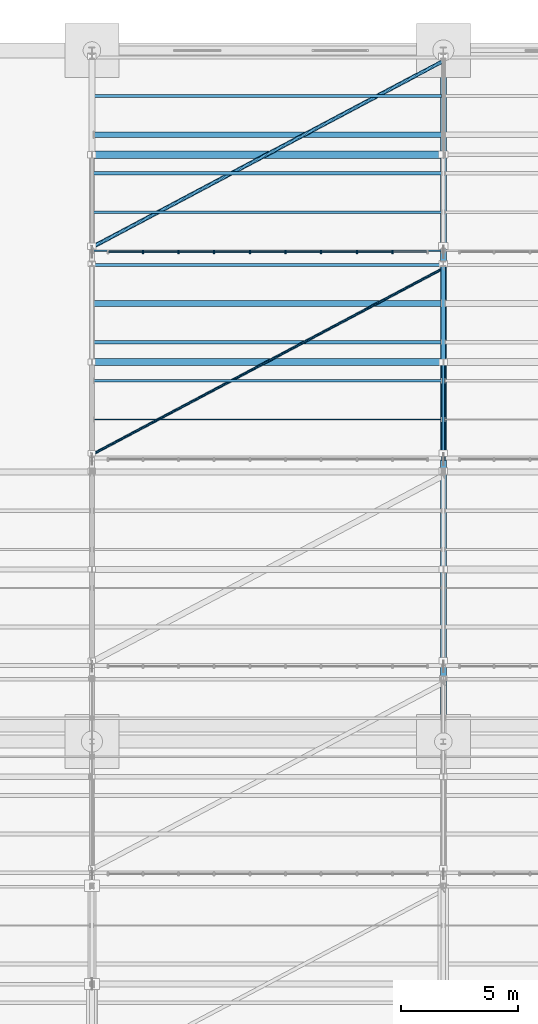
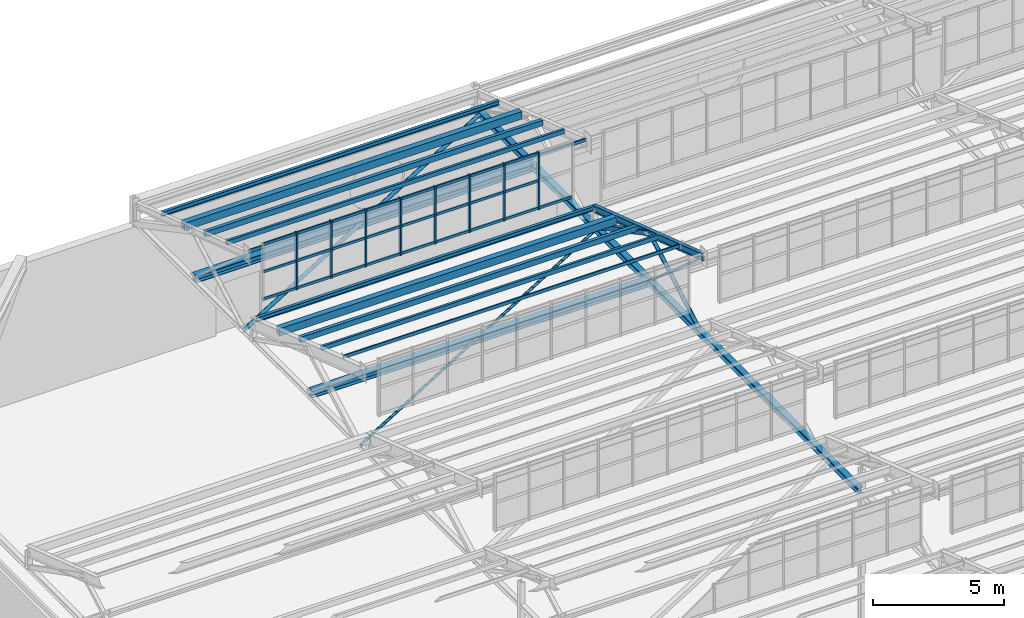
# One storey, part 129 of 285: 40 members, 12 beams, 1 element without a shape of its own.
"""IFC4 building model written with IfcOpenShell, lengths in metres."""

from ifc_helpers import new_model, si_unit, direction, frame, origin, origin_2d, place, context, subcontext, project, spatial, rectangle, hollow_rectangle, hollow_circle, i_section, extrude, material, material_profile, profile_set, type_object, element, aggregate, save


model = new_model("IFC4")

# Units and contexts
model_context = context("Model", 3, precision=1e-05, world=origin(), true_north=direction((0.0, 1.0)))
body_context = subcontext(model_context, "Body", "Model", "MODEL_VIEW")
ifc_project = project(units=[si_unit("LENGTHUNIT", "METRE"), si_unit("AREAUNIT", "SQUARE_METRE"), si_unit("VOLUMEUNIT", "CUBIC_METRE"), si_unit("PLANEANGLEUNIT", "RADIAN"), si_unit("MASSUNIT", "GRAM", prefix="KILO")], contexts=[model_context])

# Site, building, storey
site_placement = place(None, origin())
site = spatial("IfcSite", under=ifc_project, at=site_placement, CompositionType="ELEMENT")
building_placement = place(site_placement, origin())
building = spatial("IfcBuilding", under=site, at=building_placement, Name="Solanera Park Tramway Depot", CompositionType="ELEMENT")
storey_placement = place(building_placement, origin())
storey = spatial("IfcBuildingStorey", under=building, at=storey_placement, Name="L00", CompositionType="ELEMENT", Elevation=0.0)

# Curtain wall, members
ifc_material_1 = material(Name="Bronze-anodised thermally broken aluminium curtain wall", Category="aluminium")
curtain_wall_type = type_object("IfcCurtainWallType", Name="Sawtooth Clerestory Monitor Curtain Wall", PredefinedType="NOTDEFINED", material=ifc_material_1)
curtain_wall_placement = place(storey_placement, origin())
curtain_wall = element("IfcCurtainWall", 1, at=curtain_wall_placement, inside=storey, type_object=curtain_wall_type, Name="L00 Sawtooth Clerestory Monitor Curtain Wall #066", PredefinedType="NOTDEFINED")
ifc_material_2 = material(Name="Bronze-anodised structural aluminium 6063-T6", Category="aluminium")
ifc_material_profile_1 = material_profile(ifc_material_2, rectangle(XDim=0.06494140625, YDim=0.14990234375, at=origin_2d()), Name="Curtain Wall Mullion 65x150")
ifc_profile_set_1 = profile_set([ifc_material_profile_1], Name="Bronze-anodised structural aluminium 6063-T6")
member_type_1 = type_object("IfcMemberType", Name="Curtain Wall Mullion 65x150", PredefinedType="MULLION", material=ifc_profile_set_1)
member_1_placement = place(storey_placement, frame((17.172119140625, 135.39990234375, 7.75), z_axis=(0.0, 0.0, 1.0), x_axis=(1.0, 0.0, 0.0)))
member_1 = element("IfcMember", 2, at=member_1_placement, type_object=member_type_1, Name="CW-L00-066 Mullion 2", PredefinedType="MULLION", context=body_context, shape_type="SweptSolid", body=[
    extrude(rectangle(XDim=0.06494140625, YDim=0.14990234375, at=origin_2d()), origin(), (0.0, 0.0, 1.0), 2.6611328125),
])
member_2_placement = place(storey_placement, frame((18.6943359375, 135.39990234375, 7.75), z_axis=(0.0, 0.0, 1.0), x_axis=(1.0, 0.0, 0.0)))
member_2 = element("IfcMember", 3, at=member_2_placement, type_object=member_type_1, Name="CW-L00-066 Mullion 3", PredefinedType="MULLION", context=body_context, shape_type="SweptSolid", body=[
    extrude(rectangle(XDim=0.06494140625, YDim=0.14990234375, at=origin_2d()), origin(), (0.0, 0.0, 1.0), 2.6611328125),
])
member_3_placement = place(storey_placement, frame((20.216796875, 135.39990234375, 7.75), z_axis=(0.0, 0.0, 1.0), x_axis=(1.0, 0.0, 0.0)))
member_3 = element("IfcMember", 4, at=member_3_placement, type_object=member_type_1, Name="CW-L00-066 Mullion 4", PredefinedType="MULLION", context=body_context, shape_type="SweptSolid", body=[
    extrude(rectangle(XDim=0.06494140625, YDim=0.14990234375, at=origin_2d()), origin(), (0.0, 0.0, 1.0), 2.6611328125),
])
member_4_placement = place(storey_placement, frame((21.739013671875, 135.39990234375, 7.75), z_axis=(0.0, 0.0, 1.0), x_axis=(1.0, 0.0, 0.0)))
member_4 = element("IfcMember", 5, at=member_4_placement, type_object=member_type_1, Name="CW-L00-066 Mullion 5", PredefinedType="MULLION", context=body_context, shape_type="SweptSolid", body=[
    extrude(rectangle(XDim=0.06494140625, YDim=0.14990234375, at=origin_2d()), origin(), (0.0, 0.0, 1.0), 2.6611328125),
])
member_5_placement = place(storey_placement, frame((23.260986328125, 135.39990234375, 7.75), z_axis=(0.0, 0.0, 1.0), x_axis=(1.0, 0.0, 0.0)))
member_5 = element("IfcMember", 6, at=member_5_placement, type_object=member_type_1, Name="CW-L00-066 Mullion 6", PredefinedType="MULLION", context=body_context, shape_type="SweptSolid", body=[
    extrude(rectangle(XDim=0.06494140625, YDim=0.14990234375, at=origin_2d()), origin(), (0.0, 0.0, 1.0), 2.6611328125),
])
member_6_placement = place(storey_placement, frame((24.783203125, 135.39990234375, 7.75), z_axis=(0.0, 0.0, 1.0), x_axis=(1.0, 0.0, 0.0)))
member_6 = element("IfcMember", 7, at=member_6_placement, type_object=member_type_1, Name="CW-L00-066 Mullion 7", PredefinedType="MULLION", context=body_context, shape_type="SweptSolid", body=[
    extrude(rectangle(XDim=0.06494140625, YDim=0.14990234375, at=origin_2d()), origin(), (0.0, 0.0, 1.0), 2.6611328125),
])
member_7_placement = place(storey_placement, frame((26.3056640625, 135.39990234375, 7.75), z_axis=(0.0, 0.0, 1.0), x_axis=(1.0, 0.0, 0.0)))
member_7 = element("IfcMember", 8, at=member_7_placement, type_object=member_type_1, Name="CW-L00-066 Mullion 8", PredefinedType="MULLION", context=body_context, shape_type="SweptSolid", body=[
    extrude(rectangle(XDim=0.06494140625, YDim=0.14990234375, at=origin_2d()), origin(), (0.0, 0.0, 1.0), 2.6611328125),
])
member_8_placement = place(storey_placement, frame((27.827880859375, 135.39990234375, 7.75), z_axis=(0.0, 0.0, 1.0), x_axis=(1.0, 0.0, 0.0)))
member_8 = element("IfcMember", 9, at=member_8_placement, type_object=member_type_1, Name="CW-L00-066 Mullion 9", PredefinedType="MULLION", context=body_context, shape_type="SweptSolid", body=[
    extrude(rectangle(XDim=0.06494140625, YDim=0.14990234375, at=origin_2d()), origin(), (0.0, 0.0, 1.0), 2.6611328125),
])
ifc_material_3 = material(Name="Bronze-anodised structural aluminium 6063-T6", Category="aluminium")
ifc_material_profile_2 = material_profile(ifc_material_3, rectangle(XDim=0.06494140625, YDim=0.1201171875, at=origin_2d()), Name="Curtain Wall Transom 65x120")
ifc_profile_set_2 = profile_set([ifc_material_profile_2], Name="Bronze-anodised structural aluminium 6063-T6")
member_type_2 = type_object("IfcMemberType", Name="Curtain Wall Transom 65x120", PredefinedType="USERDEFINED", material=ifc_profile_set_2)
member_9_placement = place(storey_placement, frame((15.71044921875, 135.39990234375, 7.81005859375), z_axis=(1.0, 0.0, 0.0), x_axis=(0.0, 1.0, 0.0)))
member_9 = element("IfcMember", 10, at=member_9_placement, type_object=member_type_2, Name="CW-L00-066 Transom R1.C1", ObjectType="TRANSOM", PredefinedType="USERDEFINED", context=body_context, shape_type="SweptSolid", body=[
    extrude(rectangle(XDim=0.06494140625, YDim=0.1201171875, at=origin_2d()), origin(), (0.0, 0.0, 1.0), 1.433837890625),
])
member_10_placement = place(storey_placement, frame((17.2001953125, 135.39990234375, 7.81005859375), z_axis=(1.0, 0.0, 0.0), x_axis=(0.0, 1.0, 0.0)))
member_10 = element("IfcMember", 11, at=member_10_placement, type_object=member_type_2, Name="CW-L00-066 Transom R1.C2", ObjectType="TRANSOM", PredefinedType="USERDEFINED", context=body_context, shape_type="SweptSolid", body=[
    extrude(rectangle(XDim=0.06494140625, YDim=0.1201171875, at=origin_2d()), origin(), (0.0, 0.0, 1.0), 1.46630859375),
])
member_11_placement = place(storey_placement, frame((18.722412109375, 135.39990234375, 7.81005859375), z_axis=(1.0, 0.0, 0.0), x_axis=(0.0, 1.0, 0.0)))
member_11 = element("IfcMember", 12, at=member_11_placement, type_object=member_type_2, Name="CW-L00-066 Transom R1.C3", ObjectType="TRANSOM", PredefinedType="USERDEFINED", context=body_context, shape_type="SweptSolid", body=[
    extrude(rectangle(XDim=0.06494140625, YDim=0.1201171875, at=origin_2d()), origin(), (0.0, 0.0, 1.0), 1.46630859375),
])
member_12_placement = place(storey_placement, frame((20.24462890625, 135.39990234375, 7.81005859375), z_axis=(1.0, 0.0, 0.0), x_axis=(0.0, 1.0, 0.0)))
member_12 = element("IfcMember", 13, at=member_12_placement, type_object=member_type_2, Name="CW-L00-066 Transom R1.C4", ObjectType="TRANSOM", PredefinedType="USERDEFINED", context=body_context, shape_type="SweptSolid", body=[
    extrude(rectangle(XDim=0.06494140625, YDim=0.1201171875, at=origin_2d()), origin(), (0.0, 0.0, 1.0), 1.46630859375),
])
member_13_placement = place(storey_placement, frame((21.766845703125, 135.39990234375, 7.81005859375), z_axis=(1.0, 0.0, 0.0), x_axis=(0.0, 1.0, 0.0)))
member_13 = element("IfcMember", 14, at=member_13_placement, type_object=member_type_2, Name="CW-L00-066 Transom R1.C5", ObjectType="TRANSOM", PredefinedType="USERDEFINED", context=body_context, shape_type="SweptSolid", body=[
    extrude(rectangle(XDim=0.06494140625, YDim=0.1201171875, at=origin_2d()), origin(), (0.0, 0.0, 1.0), 1.46630859375),
])
member_14_placement = place(storey_placement, frame((23.2890625, 135.39990234375, 7.81005859375), z_axis=(1.0, 0.0, 0.0), x_axis=(0.0, 1.0, 0.0)))
member_14 = element("IfcMember", 15, at=member_14_placement, type_object=member_type_2, Name="CW-L00-066 Transom R1.C6", ObjectType="TRANSOM", PredefinedType="USERDEFINED", context=body_context, shape_type="SweptSolid", body=[
    extrude(rectangle(XDim=0.06494140625, YDim=0.1201171875, at=origin_2d()), origin(), (0.0, 0.0, 1.0), 1.46630859375),
])
member_15_placement = place(storey_placement, frame((24.811279296875, 135.39990234375, 7.81005859375), z_axis=(1.0, 0.0, 0.0), x_axis=(0.0, 1.0, 0.0)))
member_15 = element("IfcMember", 16, at=member_15_placement, type_object=member_type_2, Name="CW-L00-066 Transom R1.C7", ObjectType="TRANSOM", PredefinedType="USERDEFINED", context=body_context, shape_type="SweptSolid", body=[
    extrude(rectangle(XDim=0.06494140625, YDim=0.1201171875, at=origin_2d()), origin(), (0.0, 0.0, 1.0), 1.46630859375),
])
member_16_placement = place(storey_placement, frame((26.33349609375, 135.39990234375, 7.81005859375), z_axis=(1.0, 0.0, 0.0), x_axis=(0.0, 1.0, 0.0)))
member_16 = element("IfcMember", 17, at=member_16_placement, type_object=member_type_2, Name="CW-L00-066 Transom R1.C8", ObjectType="TRANSOM", PredefinedType="USERDEFINED", context=body_context, shape_type="SweptSolid", body=[
    extrude(rectangle(XDim=0.06494140625, YDim=0.1201171875, at=origin_2d()), origin(), (0.0, 0.0, 1.0), 1.46630859375),
])
member_17_placement = place(storey_placement, frame((27.855712890625, 135.39990234375, 7.81005859375), z_axis=(1.0, 0.0, 0.0), x_axis=(0.0, 1.0, 0.0)))
member_17 = element("IfcMember", 18, at=member_17_placement, type_object=member_type_2, Name="CW-L00-066 Transom R1.C9", ObjectType="TRANSOM", PredefinedType="USERDEFINED", context=body_context, shape_type="SweptSolid", body=[
    extrude(rectangle(XDim=0.06494140625, YDim=0.1201171875, at=origin_2d()), origin(), (0.0, 0.0, 1.0), 1.433837890625),
])
member_18_placement = place(storey_placement, frame((15.71044921875, 135.39990234375, 9.08056640625), z_axis=(1.0, 0.0, 0.0), x_axis=(0.0, 1.0, 0.0)))
member_18 = element("IfcMember", 19, at=member_18_placement, type_object=member_type_2, Name="CW-L00-066 Transom R2.C1", ObjectType="TRANSOM", PredefinedType="USERDEFINED", context=body_context, shape_type="SweptSolid", body=[
    extrude(rectangle(XDim=0.06494140625, YDim=0.1201171875, at=origin_2d()), origin(), (0.0, 0.0, 1.0), 1.433837890625),
])
member_19_placement = place(storey_placement, frame((17.2001953125, 135.39990234375, 9.08056640625), z_axis=(1.0, 0.0, 0.0), x_axis=(0.0, 1.0, 0.0)))
member_19 = element("IfcMember", 20, at=member_19_placement, type_object=member_type_2, Name="CW-L00-066 Transom R2.C2", ObjectType="TRANSOM", PredefinedType="USERDEFINED", context=body_context, shape_type="SweptSolid", body=[
    extrude(rectangle(XDim=0.06494140625, YDim=0.1201171875, at=origin_2d()), origin(), (0.0, 0.0, 1.0), 1.46630859375),
])
member_20_placement = place(storey_placement, frame((18.722412109375, 135.39990234375, 9.08056640625), z_axis=(1.0, 0.0, 0.0), x_axis=(0.0, 1.0, 0.0)))
member_20 = element("IfcMember", 21, at=member_20_placement, type_object=member_type_2, Name="CW-L00-066 Transom R2.C3", ObjectType="TRANSOM", PredefinedType="USERDEFINED", context=body_context, shape_type="SweptSolid", body=[
    extrude(rectangle(XDim=0.06494140625, YDim=0.1201171875, at=origin_2d()), origin(), (0.0, 0.0, 1.0), 1.46630859375),
])
member_21_placement = place(storey_placement, frame((20.24462890625, 135.39990234375, 9.08056640625), z_axis=(1.0, 0.0, 0.0), x_axis=(0.0, 1.0, 0.0)))
member_21 = element("IfcMember", 22, at=member_21_placement, type_object=member_type_2, Name="CW-L00-066 Transom R2.C4", ObjectType="TRANSOM", PredefinedType="USERDEFINED", context=body_context, shape_type="SweptSolid", body=[
    extrude(rectangle(XDim=0.06494140625, YDim=0.1201171875, at=origin_2d()), origin(), (0.0, 0.0, 1.0), 1.46630859375),
])
member_22_placement = place(storey_placement, frame((21.766845703125, 135.39990234375, 9.08056640625), z_axis=(1.0, 0.0, 0.0), x_axis=(0.0, 1.0, 0.0)))
member_22 = element("IfcMember", 23, at=member_22_placement, type_object=member_type_2, Name="CW-L00-066 Transom R2.C5", ObjectType="TRANSOM", PredefinedType="USERDEFINED", context=body_context, shape_type="SweptSolid", body=[
    extrude(rectangle(XDim=0.06494140625, YDim=0.1201171875, at=origin_2d()), origin(), (0.0, 0.0, 1.0), 1.46630859375),
])
member_23_placement = place(storey_placement, frame((23.2890625, 135.39990234375, 9.08056640625), z_axis=(1.0, 0.0, 0.0), x_axis=(0.0, 1.0, 0.0)))
member_23 = element("IfcMember", 24, at=member_23_placement, type_object=member_type_2, Name="CW-L00-066 Transom R2.C6", ObjectType="TRANSOM", PredefinedType="USERDEFINED", context=body_context, shape_type="SweptSolid", body=[
    extrude(rectangle(XDim=0.06494140625, YDim=0.1201171875, at=origin_2d()), origin(), (0.0, 0.0, 1.0), 1.46630859375),
])
member_24_placement = place(storey_placement, frame((24.811279296875, 135.39990234375, 9.08056640625), z_axis=(1.0, 0.0, 0.0), x_axis=(0.0, 1.0, 0.0)))
member_24 = element("IfcMember", 25, at=member_24_placement, type_object=member_type_2, Name="CW-L00-066 Transom R2.C7", ObjectType="TRANSOM", PredefinedType="USERDEFINED", context=body_context, shape_type="SweptSolid", body=[
    extrude(rectangle(XDim=0.06494140625, YDim=0.1201171875, at=origin_2d()), origin(), (0.0, 0.0, 1.0), 1.46630859375),
])
member_25_placement = place(storey_placement, frame((26.33349609375, 135.39990234375, 9.08056640625), z_axis=(1.0, 0.0, 0.0), x_axis=(0.0, 1.0, 0.0)))
member_25 = element("IfcMember", 26, at=member_25_placement, type_object=member_type_2, Name="CW-L00-066 Transom R2.C8", ObjectType="TRANSOM", PredefinedType="USERDEFINED", context=body_context, shape_type="SweptSolid", body=[
    extrude(rectangle(XDim=0.06494140625, YDim=0.1201171875, at=origin_2d()), origin(), (0.0, 0.0, 1.0), 1.46630859375),
])
member_26_placement = place(storey_placement, frame((15.71044921875, 135.39990234375, 10.351318359375), z_axis=(1.0, 0.0, 0.0), x_axis=(0.0, 1.0, 0.0)))
member_26 = element("IfcMember", 27, at=member_26_placement, type_object=member_type_2, Name="CW-L00-066 Transom R3.C1", ObjectType="TRANSOM", PredefinedType="USERDEFINED", context=body_context, shape_type="SweptSolid", body=[
    extrude(rectangle(XDim=0.06494140625, YDim=0.1201171875, at=origin_2d()), origin(), (0.0, 0.0, 1.0), 1.433837890625),
])
member_27_placement = place(storey_placement, frame((17.2001953125, 135.39990234375, 10.351318359375), z_axis=(1.0, 0.0, 0.0), x_axis=(0.0, 1.0, 0.0)))
member_27 = element("IfcMember", 28, at=member_27_placement, type_object=member_type_2, Name="CW-L00-066 Transom R3.C2", ObjectType="TRANSOM", PredefinedType="USERDEFINED", context=body_context, shape_type="SweptSolid", body=[
    extrude(rectangle(XDim=0.06494140625, YDim=0.1201171875, at=origin_2d()), origin(), (0.0, 0.0, 1.0), 1.46630859375),
])
member_28_placement = place(storey_placement, frame((18.722412109375, 135.39990234375, 10.351318359375), z_axis=(1.0, 0.0, 0.0), x_axis=(0.0, 1.0, 0.0)))
member_28 = element("IfcMember", 29, at=member_28_placement, type_object=member_type_2, Name="CW-L00-066 Transom R3.C3", ObjectType="TRANSOM", PredefinedType="USERDEFINED", context=body_context, shape_type="SweptSolid", body=[
    extrude(rectangle(XDim=0.06494140625, YDim=0.1201171875, at=origin_2d()), origin(), (0.0, 0.0, 1.0), 1.46630859375),
])
member_29_placement = place(storey_placement, frame((20.24462890625, 135.39990234375, 10.351318359375), z_axis=(1.0, 0.0, 0.0), x_axis=(0.0, 1.0, 0.0)))
member_29 = element("IfcMember", 30, at=member_29_placement, type_object=member_type_2, Name="CW-L00-066 Transom R3.C4", ObjectType="TRANSOM", PredefinedType="USERDEFINED", context=body_context, shape_type="SweptSolid", body=[
    extrude(rectangle(XDim=0.06494140625, YDim=0.1201171875, at=origin_2d()), origin(), (0.0, 0.0, 1.0), 1.46630859375),
])
member_30_placement = place(storey_placement, frame((21.766845703125, 135.39990234375, 10.351318359375), z_axis=(1.0, 0.0, 0.0), x_axis=(0.0, 1.0, 0.0)))
member_30 = element("IfcMember", 31, at=member_30_placement, type_object=member_type_2, Name="CW-L00-066 Transom R3.C5", ObjectType="TRANSOM", PredefinedType="USERDEFINED", context=body_context, shape_type="SweptSolid", body=[
    extrude(rectangle(XDim=0.06494140625, YDim=0.1201171875, at=origin_2d()), origin(), (0.0, 0.0, 1.0), 1.46630859375),
])
member_31_placement = place(storey_placement, frame((23.2890625, 135.39990234375, 10.351318359375), z_axis=(1.0, 0.0, 0.0), x_axis=(0.0, 1.0, 0.0)))
member_31 = element("IfcMember", 32, at=member_31_placement, type_object=member_type_2, Name="CW-L00-066 Transom R3.C6", ObjectType="TRANSOM", PredefinedType="USERDEFINED", context=body_context, shape_type="SweptSolid", body=[
    extrude(rectangle(XDim=0.06494140625, YDim=0.1201171875, at=origin_2d()), origin(), (0.0, 0.0, 1.0), 1.46630859375),
])
member_32_placement = place(storey_placement, frame((24.811279296875, 135.39990234375, 10.351318359375), z_axis=(1.0, 0.0, 0.0), x_axis=(0.0, 1.0, 0.0)))
member_32 = element("IfcMember", 33, at=member_32_placement, type_object=member_type_2, Name="CW-L00-066 Transom R3.C7", ObjectType="TRANSOM", PredefinedType="USERDEFINED", context=body_context, shape_type="SweptSolid", body=[
    extrude(rectangle(XDim=0.06494140625, YDim=0.1201171875, at=origin_2d()), origin(), (0.0, 0.0, 1.0), 1.46630859375),
])
member_33_placement = place(storey_placement, frame((26.33349609375, 135.39990234375, 10.351318359375), z_axis=(1.0, 0.0, 0.0), x_axis=(0.0, 1.0, 0.0)))
member_33 = element("IfcMember", 34, at=member_33_placement, type_object=member_type_2, Name="CW-L00-066 Transom R3.C8", ObjectType="TRANSOM", PredefinedType="USERDEFINED", context=body_context, shape_type="SweptSolid", body=[
    extrude(rectangle(XDim=0.06494140625, YDim=0.1201171875, at=origin_2d()), origin(), (0.0, 0.0, 1.0), 1.46630859375),
])
aggregate(curtain_wall, [member_1, member_2, member_3, member_4, member_5, member_6, member_7, member_8, member_9, member_10, member_11, member_12, member_13, member_14, member_15, member_16, member_17, member_18, member_19, member_20, member_21, member_22, member_23, member_24, member_25, member_26, member_27, member_28, member_29, member_30, member_31, member_32, member_33])

# Members
ifc_material_4 = material(Name="Steel AS/NZS 1163 Grade C350L0", Category="steel")
ifc_material_profile_3 = material_profile(ifc_material_4, hollow_circle(Radius=0.084228515625, WallThickness=0.00634765625, at=origin_2d()), Name="168.3x6.4 CHS")
ifc_profile_set_3 = profile_set([ifc_material_profile_3], Name="Steel AS/NZS 1163 Grade C350L0")
member_type_3 = type_object("IfcMemberType", Name="Roof Gantry Compression Strut 168.3x6.4 CHS", PredefinedType="STRUT", material=ifc_profile_set_3)
member_34_placement = place(storey_placement, frame((30.0, 126.800048828125, 6.5), z_axis=(0.0, 0.866884023838, 0.498509868723), x_axis=(-1.0, 0.0, 0.0)))
element("IfcMember", 35, at=member_34_placement, inside=storey, type_object=member_type_3, Name="Sawtooth ROOF TRUSS Strut 168.3x6.4 CHS #0372", PredefinedType="STRUT", context=body_context, shape_type="SweptSolid", body=[
    extrude(hollow_circle(Radius=0.084228515625, WallThickness=0.00634765625, at=origin_2d()), origin(), (0.0, 0.0, 1.0), 4.498779296875),
])
ifc_material_5 = material(Name="Steel AS/NZS 3679.1 Grade 350", Category="steel")
ifc_material_profile_4 = material_profile(ifc_material_5, i_section(OverallWidth=0.306884765625, OverallDepth=0.314697265625, WebThickness=0.011962890625, FlangeThickness=0.018798828125, at=origin_2d()), Name="310UC118")
ifc_profile_set_4 = profile_set([ifc_material_profile_4], Name="Steel AS/NZS 3679.1 Grade 350")
member_type_4 = type_object("IfcMemberType", Name="Secondary Truss Chord 310UC118", PredefinedType="CHORD", material=ifc_profile_set_4)
member_35_placement = place(storey_placement, frame((15.087890625, 130.699951171875, 6.5), z_axis=(1.0, 0.0, 0.0), x_axis=(0.0, 1.0, 0.0)))
element("IfcMember", 36, at=member_35_placement, inside=storey, type_object=member_type_4, Name="Sawtooth Longitudinal Tie Chord 310UC118 #0391", PredefinedType="CHORD", context=body_context, shape_type="SweptSolid", body=[
    extrude(i_section(OverallWidth=0.306884765625, OverallDepth=0.314697265625, WebThickness=0.011962890625, FlangeThickness=0.018798828125, at=origin_2d()), origin(), (0.0, 0.0, 1.0), 14.82421875),
])
ifc_material_6 = material(Name="Steel AS/NZS 3679.1 Grade 350", Category="steel")
ifc_material_profile_5 = material_profile(ifc_material_6, i_section(OverallWidth=0.310546875, OverallDepth=0.3271484375, WebThickness=0.015625, FlangeThickness=0.02490234375, at=origin_2d()), Name="310UC158")
ifc_profile_set_5 = profile_set([ifc_material_profile_5], Name="Steel AS/NZS 3679.1 Grade 350")
member_type_5 = type_object("IfcMemberType", Name="Secondary Truss Chord 310UC158", PredefinedType="CHORD", material=ifc_profile_set_5)
member_36_placement = place(storey_placement, frame((15.087890625, 139.550048828125, 6.5), z_axis=(1.0, 0.0, 0.0), x_axis=(0.0, 1.0, 0.0)))
element("IfcMember", 37, at=member_36_placement, inside=storey, type_object=member_type_5, Name="Sawtooth Longitudinal Tie Chord 310UC158 #0425", PredefinedType="CHORD", context=body_context, shape_type="SweptSolid", body=[
    extrude(i_section(OverallWidth=0.310546875, OverallDepth=0.3271484375, WebThickness=0.015625, FlangeThickness=0.02490234375, at=origin_2d()), origin(), (0.0, 0.0, 1.0), 14.82421875),
])

# Beams
ifc_material_7 = material(Name="Steel AS/NZS 3679.1 Grade 350", Category="steel")
ifc_material_profile_6 = material_profile(ifc_material_7, i_section(OverallWidth=0.25390625, OverallDepth=0.25390625, WebThickness=0.008544921875, FlangeThickness=0.01416015625, at=origin_2d()), Name="250UC72.9")
ifc_profile_set_6 = profile_set([ifc_material_profile_6], Name="Steel AS/NZS 3679.1 Grade 350")
beam_type_1 = type_object("IfcBeamType", Name="Steel Beam 250UC72.9", PredefinedType="BEAM", material=ifc_profile_set_6)
beam_1_placement = place(storey_placement, frame((30.0, 114.6025390625, 6.5), z_axis=(0.0, 1.0, 0.0), x_axis=(-1.0, 0.0, 0.0)))
element("IfcBeam", 38, at=beam_1_placement, inside=storey, type_object=beam_type_1, Name="Sawtooth ROOF TRUSS Bottom Chord 250UC72.9 #0375", PredefinedType="BEAM", context=body_context, shape_type="SweptSolid", body=[
    extrude(i_section(OverallWidth=0.25390625, OverallDepth=0.25390625, WebThickness=0.008544921875, FlangeThickness=0.01416015625, at=origin_2d()), origin(), (0.0, 0.0, 1.0), 29.269775390625),
])
ifc_material_8 = material(Name="Steel AS/NZS 3679.1 Grade 350", Category="steel")
ifc_material_profile_7 = material_profile(ifc_material_8, i_section(OverallWidth=0.166015625, OverallDepth=0.30712890625, WebThickness=0.006591796875, FlangeThickness=0.01171875, at=origin_2d()), Name="310UB46.2")
ifc_profile_set_7 = profile_set([ifc_material_profile_7], Name="Steel AS/NZS 3679.1 Grade 350")
beam_type_2 = type_object("IfcBeamType", Name="Steel Beam 310UB46.2", PredefinedType="BEAM", material=ifc_profile_set_7)
beam_2_placement = place(storey_placement, frame((30.0, 126.550048828125, 10.131103515625), z_axis=(0.0, 0.948327781215, -0.317292324799), x_axis=(-1.0, 0.0, 0.0)))
element("IfcBeam", 39, at=beam_2_placement, inside=storey, type_object=beam_type_2, Name="Sawtooth ROOF TRUSS Top Rafter 310UB46.2 B09-T2", PredefinedType="BEAM", context=body_context, shape_type="SweptSolid", body=[
    extrude(i_section(OverallWidth=0.166015625, OverallDepth=0.30712890625, WebThickness=0.006591796875, FlangeThickness=0.01171875, at=origin_2d()), origin(), (0.0, 0.0, 1.0), 8.804931640625),
])
ifc_material_9 = material(Name="Steel AS/NZS 1163 Grade C350L0", Category="steel")
ifc_material_profile_8 = material_profile(ifc_material_9, hollow_rectangle(XDim=0.050048828125, YDim=0.14990234375, WallThickness=0.0048828125, at=origin_2d()), Name="150x50x5.0 RHS")
ifc_profile_set_8 = profile_set([ifc_material_profile_8], Name="Steel AS/NZS 1163 Grade C350L0")
beam_type_3 = type_object("IfcBeamType", Name="Steel Joist Purlin 150x50x5.0 RHS", PredefinedType="JOIST", material=ifc_profile_set_8)
beam_3_placement = place(storey_placement, frame((15.0966796875, 128.25, 9.654541015625), z_axis=(1.0, 0.0, 0.0), x_axis=(0.0, 1.0, 0.0)))
element("IfcBeam", 40, at=beam_3_placement, inside=storey, type_object=beam_type_3, Name="Sawtooth Roof Purlin 150x50x5.0 RHS B09.2", PredefinedType="JOIST", context=body_context, shape_type="SweptSolid", body=[
    extrude(hollow_rectangle(XDim=0.050048828125, YDim=0.14990234375, WallThickness=0.0048828125, at=origin_2d()), origin(), (0.0, 0.0, 1.0), 14.828369140625),
])
beam_4_placement = place(storey_placement, frame((15.074951171875, 135.449951171875, 10.206787109375), z_axis=(1.0, 0.0, 0.0), x_axis=(0.0, 1.0, 0.0)))
element("IfcBeam", 41, at=beam_4_placement, inside=storey, type_object=beam_type_3, Name="Sawtooth Roof Purlin 150x50x5.0 RHS B10.1", PredefinedType="JOIST", context=body_context, shape_type="SweptSolid", body=[
    extrude(hollow_rectangle(XDim=0.050048828125, YDim=0.14990234375, WallThickness=0.0048828125, at=origin_2d()), origin(), (0.0, 0.0, 1.0), 14.84716796875),
])
ifc_material_10 = material(Name="Steel AS/NZS 3679.1 Grade 350", Category="steel")
ifc_material_profile_9 = material_profile(ifc_material_10, i_section(OverallWidth=0.13330078125, OverallDepth=0.203125, WebThickness=0.005859375, FlangeThickness=0.0078125, at=origin_2d()), Name="200UB25.4")
ifc_profile_set_9 = profile_set([ifc_material_profile_9], Name="Steel AS/NZS 3679.1 Grade 350")
beam_type_4 = type_object("IfcBeamType", Name="Steel Joist Purlin 200UB25.4", PredefinedType="JOIST", material=ifc_profile_set_9)
beam_5_placement = place(storey_placement, frame((15.0966796875, 134.85009765625, 7.40576171875), z_axis=(1.0, 0.0, 0.0), x_axis=(0.0, 1.0, 0.0)))
element("IfcBeam", 42, at=beam_5_placement, inside=storey, type_object=beam_type_4, Name="Sawtooth Roof Purlin 200UB25.4 B09.6", PredefinedType="JOIST", context=body_context, shape_type="SweptSolid", body=[
    extrude(i_section(OverallWidth=0.13330078125, OverallDepth=0.203125, WebThickness=0.005859375, FlangeThickness=0.0078125, at=origin_2d()), origin(), (0.0, 0.0, 1.0), 14.828369140625),
])
beam_6_placement = place(storey_placement, frame((15.074951171875, 142.050048828125, 7.9580078125), z_axis=(1.0, 0.0, 0.0), x_axis=(0.0, 1.0, 0.0)))
element("IfcBeam", 43, at=beam_6_placement, inside=storey, type_object=beam_type_4, Name="Sawtooth Roof Purlin 200UB25.4 B10.5", PredefinedType="JOIST", context=body_context, shape_type="SweptSolid", body=[
    extrude(i_section(OverallWidth=0.13330078125, OverallDepth=0.203125, WebThickness=0.005859375, FlangeThickness=0.0078125, at=origin_2d()), origin(), (0.0, 0.0, 1.0), 14.84716796875),
])
ifc_material_11 = material(Name="Steel AS/NZS 1163 Grade C350L0", Category="steel")
ifc_material_profile_10 = material_profile(ifc_material_11, hollow_rectangle(XDim=0.10009765625, YDim=0.199951171875, WallThickness=0.006103515625, at=origin_2d()), Name="200x100x6.0 RHS")
ifc_profile_set_10 = profile_set([ifc_material_profile_10], Name="Steel AS/NZS 1163 Grade C350L0")
beam_type_5 = type_object("IfcBeamType", Name="Steel Joist Purlin 200x100x6.0 RHS", PredefinedType="JOIST", material=ifc_profile_set_10)
beam_7_placement = place(storey_placement, frame((15.0966796875, 129.89990234375, 9.069091796875), z_axis=(1.0, 0.0, 0.0), x_axis=(0.0, 1.0, 0.0)))
element("IfcBeam", 44, at=beam_7_placement, inside=storey, type_object=beam_type_5, Name="Sawtooth Roof Purlin 200x100x6.0 RHS B09.3", PredefinedType="JOIST", context=body_context, shape_type="SweptSolid", body=[
    extrude(hollow_rectangle(XDim=0.10009765625, YDim=0.199951171875, WallThickness=0.006103515625, at=origin_2d()), origin(), (0.0, 0.0, 1.0), 14.828369140625),
])
beam_8_placement = place(storey_placement, frame((15.074951171875, 137.10009765625, 9.621337890625), z_axis=(1.0, 0.0, 0.0), x_axis=(0.0, 1.0, 0.0)))
element("IfcBeam", 45, at=beam_8_placement, inside=storey, type_object=beam_type_5, Name="Sawtooth Roof Purlin 200x100x6.0 RHS B10.2", PredefinedType="JOIST", context=body_context, shape_type="SweptSolid", body=[
    extrude(hollow_rectangle(XDim=0.10009765625, YDim=0.199951171875, WallThickness=0.006103515625, at=origin_2d()), origin(), (0.0, 0.0, 1.0), 14.84716796875),
])
ifc_material_12 = material(Name="Steel AS/NZS 1163 Grade C350L0", Category="steel")
ifc_material_profile_11 = material_profile(ifc_material_12, hollow_rectangle(XDim=0.14990234375, YDim=0.25, WallThickness=0.008056640625, at=origin_2d()), Name="250x150x8.0 RHS")
ifc_profile_set_11 = profile_set([ifc_material_profile_11], Name="Steel AS/NZS 1163 Grade C350L0")
beam_type_6 = type_object("IfcBeamType", Name="Steel Joist Purlin 250x150x8.0 RHS", PredefinedType="JOIST", material=ifc_profile_set_11)
beam_9_placement = place(storey_placement, frame((15.0966796875, 131.550048828125, 8.483642578125), z_axis=(1.0, 0.0, 0.0), x_axis=(0.0, 1.0, 0.0)))
element("IfcBeam", 46, at=beam_9_placement, inside=storey, type_object=beam_type_6, Name="Sawtooth Roof Purlin 250x150x8.0 RHS B09.4", PredefinedType="JOIST", context=body_context, shape_type="SweptSolid", body=[
    extrude(hollow_rectangle(XDim=0.14990234375, YDim=0.25, WallThickness=0.008056640625, at=origin_2d()), origin(), (0.0, 0.0, 1.0), 14.828369140625),
])
beam_10_placement = place(storey_placement, frame((15.074951171875, 138.75, 9.035888671875), z_axis=(1.0, 0.0, 0.0), x_axis=(0.0, 1.0, 0.0)))
element("IfcBeam", 47, at=beam_10_placement, inside=storey, type_object=beam_type_6, Name="Sawtooth Roof Purlin 250x150x8.0 RHS B10.3", PredefinedType="JOIST", context=body_context, shape_type="SweptSolid", body=[
    extrude(hollow_rectangle(XDim=0.14990234375, YDim=0.25, WallThickness=0.008056640625, at=origin_2d()), origin(), (0.0, 0.0, 1.0), 14.84716796875),
])
ifc_material_13 = material(Name="Steel AS/NZS 1163 Grade C350L0", Category="steel")
ifc_material_profile_12 = material_profile(ifc_material_13, hollow_rectangle(XDim=0.25, YDim=0.35009765625, WallThickness=0.010009765625, at=origin_2d()), Name="350x250x10.0 RHS")
ifc_profile_set_12 = profile_set([ifc_material_profile_12], Name="Steel AS/NZS 1163 Grade C350L0")
beam_type_7 = type_object("IfcBeamType", Name="Steel Joist Purlin 350x250x10.0 RHS", PredefinedType="JOIST", material=ifc_profile_set_12)
beam_11_placement = place(storey_placement, frame((15.0966796875, 133.199951171875, 7.864990234375), z_axis=(1.0, 0.0, 0.0), x_axis=(0.0, 1.0, 0.0)))
element("IfcBeam", 48, at=beam_11_placement, inside=storey, type_object=beam_type_7, Name="Sawtooth Roof Purlin 350x250x10.0 RHS B09.5", PredefinedType="JOIST", context=body_context, shape_type="SweptSolid", body=[
    extrude(hollow_rectangle(XDim=0.25, YDim=0.35009765625, WallThickness=0.010009765625, at=origin_2d()), origin(), (0.0, 0.0, 1.0), 14.828369140625),
])
beam_12_placement = place(storey_placement, frame((15.074951171875, 140.39990234375, 8.4169921875), z_axis=(1.0, 0.0, 0.0), x_axis=(0.0, 1.0, 0.0)))
element("IfcBeam", 49, at=beam_12_placement, inside=storey, type_object=beam_type_7, Name="Sawtooth Roof Purlin 350x250x10.0 RHS B10.4", PredefinedType="JOIST", context=body_context, shape_type="SweptSolid", body=[
    extrude(hollow_rectangle(XDim=0.25, YDim=0.35009765625, WallThickness=0.010009765625, at=origin_2d()), origin(), (0.0, 0.0, 1.0), 14.84716796875),
])

# Members
ifc_material_14 = material(Name="Steel AS/NZS 1163 Grade C350L0", Category="steel")
ifc_material_profile_13 = material_profile(ifc_material_14, hollow_rectangle(XDim=0.10009765625, YDim=0.10009765625, WallThickness=0.0048828125, at=origin_2d()), Name="100x100x5.0 SHS")
ifc_profile_set_13 = profile_set([ifc_material_profile_13], Name="Steel AS/NZS 1163 Grade C350L0")
member_type_6 = type_object("IfcMemberType", Name="Truss and Frame Brace 100x100x5.0 SHS", PredefinedType="BRACE", material=ifc_profile_set_13)
member_37_placement = place(storey_placement, frame((30.0, 130.699951171875, 6.5), z_axis=(0.0, -0.752582180048, 0.658498338855), x_axis=(1.0, 0.0, 0.0)))
element("IfcMember", 50, at=member_37_placement, inside=storey, type_object=member_type_6, Name="Sawtooth ROOF TRUSS Web Brace 100x100x5.0 SHS #0370", PredefinedType="BRACE", context=body_context, shape_type="SweptSolid", body=[
    extrude(hollow_rectangle(XDim=0.10009765625, YDim=0.10009765625, WallThickness=0.0048828125, at=origin_2d()), origin(), (0.0, 0.0, 1.0), 5.51416015625),
])
ifc_material_15 = material(Name="Steel AS/NZS 1163 Grade C350L0", Category="steel")
ifc_material_profile_14 = material_profile(ifc_material_15, hollow_circle(Radius=0.05712890625, WallThickness=0.0048828125, at=origin_2d()), Name="114.3x4.8 CHS")
ifc_profile_set_14 = profile_set([ifc_material_profile_14], Name="Steel AS/NZS 1163 Grade C350L0")
member_type_7 = type_object("IfcMemberType", Name="Truss and Frame Brace 114.3x4.8 CHS", PredefinedType="BRACE", material=ifc_profile_set_14)
member_38_placement = place(storey_placement, frame((15.001953125, 126.75, 6.5), z_axis=(0.883523615038, 0.468386615598, 0.0), x_axis=(-0.468386615598, 0.883523615038, 0.0)))
element("IfcMember", 51, at=member_38_placement, inside=storey, type_object=member_type_7, Name="Roof Plane Cyclonic Brace 114.3x4.8 CHS #0392", PredefinedType="BRACE", context=body_context, shape_type="SweptSolid", body=[
    extrude(hollow_circle(Radius=0.05712890625, WallThickness=0.0048828125, at=origin_2d()), origin(), (0.0, 0.0, 1.0), 16.97314453125),
])
ifc_material_16 = material(Name="Steel AS/NZS 1163 Grade C350L0", Category="steel")
ifc_material_profile_15 = material_profile(ifc_material_16, hollow_circle(Radius=0.084228515625, WallThickness=0.00634765625, at=origin_2d()), Name="168.3x6.4 CHS")
ifc_profile_set_15 = profile_set([ifc_material_profile_15], Name="Steel AS/NZS 1163 Grade C350L0")
member_type_8 = type_object("IfcMemberType", Name="Truss and Frame Brace 168.3x6.4 CHS", PredefinedType="BRACE", material=ifc_profile_set_15)
member_39_placement = place(storey_placement, frame((15.001953125, 135.60009765625, 6.5), z_axis=(0.883523615038, 0.468386615598, 0.0), x_axis=(-0.468386615598, 0.883523615038, 0.0)))
element("IfcMember", 52, at=member_39_placement, inside=storey, type_object=member_type_8, Name="Roof Plane Cyclonic Brace 168.3x6.4 CHS #0426", PredefinedType="BRACE", context=body_context, shape_type="SweptSolid", body=[
    extrude(hollow_circle(Radius=0.084228515625, WallThickness=0.00634765625, at=origin_2d()), origin(), (0.0, 0.0, 1.0), 16.97314453125),
])
ifc_material_17 = material(Name="Steel AS/NZS 1163 Grade C350L0", Category="steel")
ifc_material_profile_16 = material_profile(ifc_material_17, hollow_rectangle(XDim=0.199951171875, YDim=0.199951171875, WallThickness=0.008056640625, at=origin_2d()), Name="200x200x8.0 SHS")
ifc_profile_set_16 = profile_set([ifc_material_profile_16], Name="Steel AS/NZS 1163 Grade C350L0")
member_type_9 = type_object("IfcMemberType", Name="Truss and Frame Brace 200x200x8.0 SHS", PredefinedType="BRACE", material=ifc_profile_set_16)
member_40_placement = place(storey_placement, frame((30.0, 134.89990234375, 6.5), z_axis=(0.0, -0.882117205046, 0.471029974165), x_axis=(1.0, 0.0, 0.0)))
element("IfcMember", 53, at=member_40_placement, inside=storey, type_object=member_type_9, Name="Sawtooth ROOF TRUSS Diagonal 200x200x8.0 SHS #0371", PredefinedType="BRACE", context=body_context, shape_type="SweptSolid", body=[
    extrude(hollow_rectangle(XDim=0.199951171875, YDim=0.199951171875, WallThickness=0.008056640625, at=origin_2d()), origin(), (0.0, 0.0, 1.0), 4.76123046875),
])

save(model, "model.ifc")
